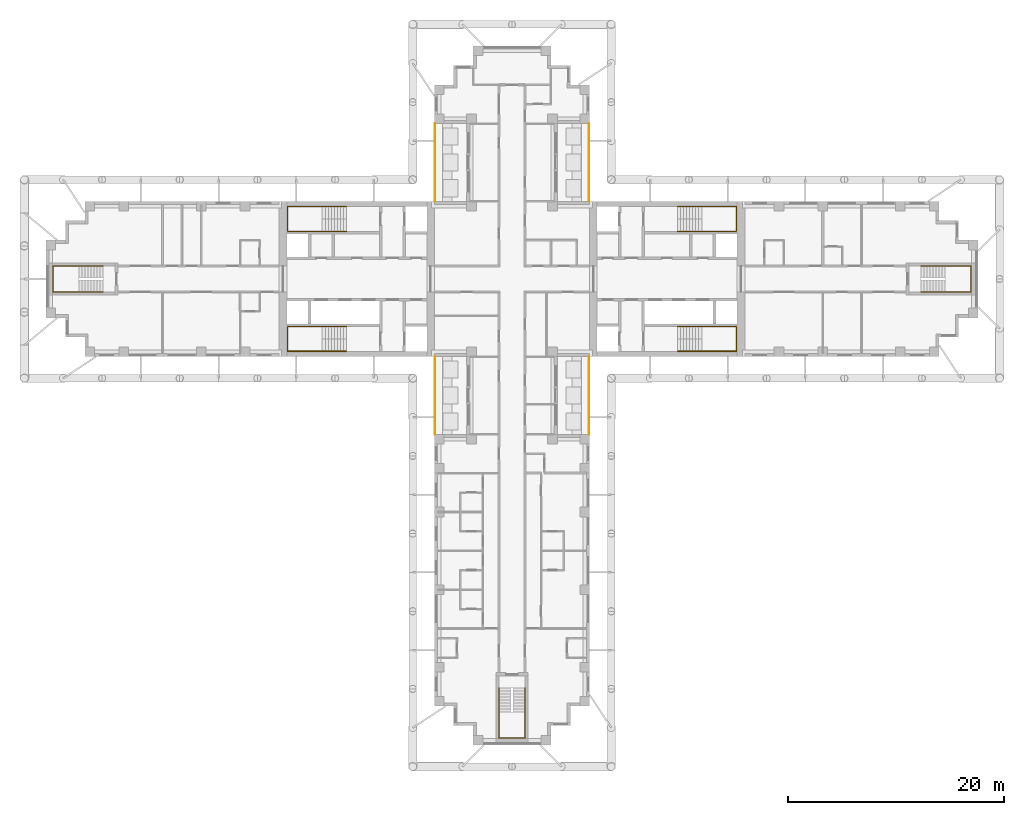
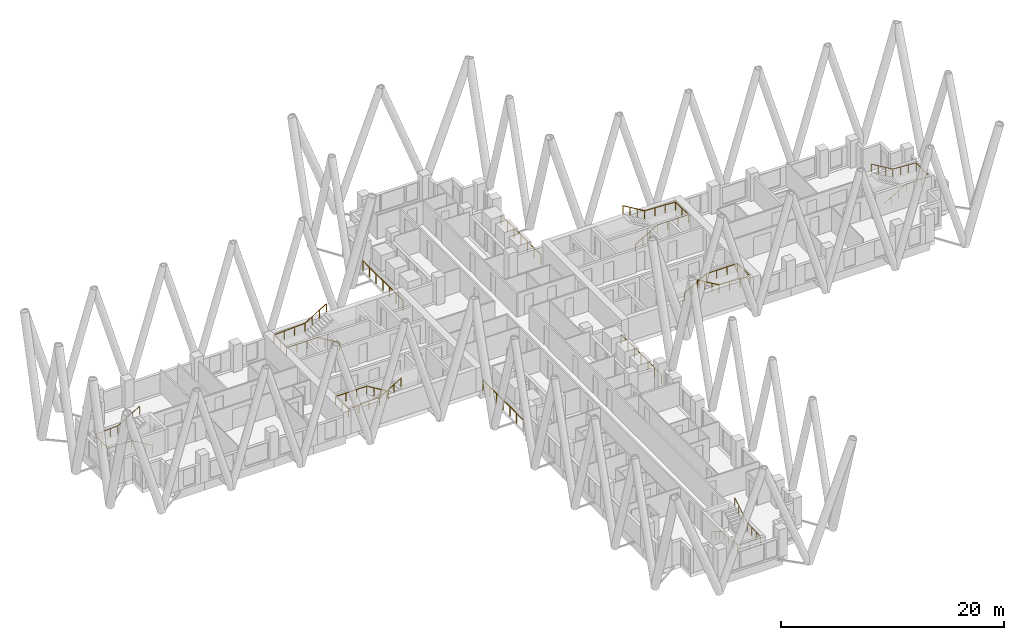
# One storey, part 13 of 14: 11 railings.
"""IFC4 building model written with IfcOpenShell, lengths in metres."""

from ifc_helpers import new_model, si_unit, direction, frame, origin, origin_2d, place, context, subcontext, project, spatial, circle, extrude, material, type_object, element, save


model = new_model("IFC4")

# Units and contexts
model_context = context("Model", 3, precision=1e-05, world=origin(), true_north=direction((0.0, 1.0)))
body_context = subcontext(model_context, "Body", "Model", "MODEL_VIEW")
ifc_project = project(units=[si_unit("LENGTHUNIT", "METRE"), si_unit("AREAUNIT", "SQUARE_METRE"), si_unit("VOLUMEUNIT", "CUBIC_METRE"), si_unit("PLANEANGLEUNIT", "RADIAN"), si_unit("MASSUNIT", "GRAM", prefix="KILO")], contexts=[model_context])

# Site, building, storey
site_placement = place(None, origin())
site = spatial("IfcSite", under=ifc_project, at=site_placement, CompositionType="ELEMENT")
building_placement = place(site_placement, origin())
building = spatial("IfcBuilding", under=site, at=building_placement, Name="Fustian Cross Tower", CompositionType="ELEMENT")
storey_placement = place(building_placement, frame((0.0, 0.0, 90.89990234375)))
storey = spatial("IfcBuildingStorey", under=building, at=storey_placement, Name="L28", CompositionType="ELEMENT", Elevation=90.89990234375)

# Railings
ifc_material_1 = material(Name="Stainless steel and glass", Category="steel")
railing_type_1 = type_object("IfcRailingType", Name="GR1 BALCONY GUARD 1100", PredefinedType="GUARDRAIL", material=ifc_material_1)
for number, where, name in (
    (1, (7.14990234375, 7.199951171875, 0.0), "Balcony guard"),
    (2, (-7.14990234375, 7.199951171875, 0.0), "Balcony guard"),
    (3, (7.14990234375, -14.39990234375, 0.0), "Balcony guard"),
    (4, (-7.14990234375, -14.39990234375, 0.0), "Balcony guard"),
):
    element("IfcRailing", number, at=place(storey_placement, frame(where)), inside=storey, type_object=railing_type_1, Name=name, PredefinedType="GUARDRAIL", context=body_context, shape_type="SweptSolid", body=[
        extrude(circle(Radius=0.02392578125, at=origin_2d()), frame((0.0, 0.0, 1.076171875), z_axis=(0.0, 1.0, 0.0), x_axis=(-1.0, 0.0, 0.0)), (0.0, 0.0, 1.0), 7.199951171875),
        extrude(circle(Radius=0.02099609375, at=origin_2d()), origin(), (0.0, 0.0, 1.0), 1.052001953125),
        extrude(circle(Radius=0.02099609375, at=origin_2d()), frame((0.0, 1.199951171875, 0.0)), (0.0, 0.0, 1.0), 1.052001953125),
        extrude(circle(Radius=0.02099609375, at=origin_2d()), frame((0.0, 2.39990234375, 0.0)), (0.0, 0.0, 1.0), 1.052001953125),
        extrude(circle(Radius=0.02099609375, at=origin_2d()), frame((0.0, 3.60009765625, 0.0)), (0.0, 0.0, 1.0), 1.052001953125),
        extrude(circle(Radius=0.02099609375, at=origin_2d()), frame((0.0, 4.800048828125, 0.0)), (0.0, 0.0, 1.0), 1.052001953125),
        extrude(circle(Radius=0.02099609375, at=origin_2d()), frame((0.0, 6.0, 0.0)), (0.0, 0.0, 1.0), 1.052001953125),
        extrude(circle(Radius=0.02099609375, at=origin_2d()), frame((0.0, 7.199951171875, 0.0)), (0.0, 0.0, 1.0), 1.052001953125),
    ])
ifc_material_2 = material(Name="Stainless steel", Category="steel")
railing_type_2 = type_object("IfcRailingType", Name="STAIR HANDRAIL", PredefinedType="HANDRAIL", material=ifc_material_2)
railing_1_placement = place(storey_placement, frame((15.35009765625, 4.39990234375, 0.166748046875)))
element("IfcRailing", 5, at=railing_1_placement, inside=storey, type_object=railing_type_2, Name="Stair ST1 handrail 1", PredefinedType="HANDRAIL", context=body_context, shape_type="SweptSolid", body=[
    extrude(circle(Radius=0.02490234375, at=origin_2d()), frame((0.0, 0.0, 0.875), z_axis=(0.859305625298, 0.0, 0.511462454469), x_axis=(0.0, 1.0, 0.0)), (0.0, 0.0, 1.0), 2.606689453125),
    extrude(circle(Radius=0.02490234375, at=origin_2d()), frame((2.239990234375, 0.0, 2.2080078125), z_axis=(1.0, 0.0, 0.0), x_axis=(0.0, 1.0, 0.0)), (0.0, 0.0, 1.0), 3.219970703125),
    extrude(circle(Radius=0.02490234375, at=origin_2d()), frame((5.4599609375, 0.0, 2.2080078125), z_axis=(0.0, 1.0, 0.0), x_axis=(-1.0, 0.0, 0.0)), (0.0, 0.0, 1.0), 2.300048828125),
    extrude(circle(Radius=0.02490234375, at=origin_2d()), frame((5.4599609375, 2.300048828125, 2.2080078125), z_axis=(-0.998661817807, 0.0, 0.051716280352), x_axis=(0.0, -1.0, 0.0)), (0.0, 0.0, 1.0), 3.224365234375),
    extrude(circle(Radius=0.02490234375, at=origin_2d()), frame((2.239990234375, 2.300048828125, 2.375), z_axis=(-0.859305625298, 0.0, 0.511462454469), x_axis=(0.0, -1.0, 0.0)), (0.0, 0.0, 1.0), 2.606689453125),
    extrude(circle(Radius=0.02001953125, at=origin_2d()), origin(), (0.0, 0.0, 1.0), 0.849853515625),
    extrude(circle(Radius=0.02001953125, at=origin_2d()), frame((0.74658203125, 0.0, 0.4443359375)), (0.0, 0.0, 1.0), 0.849853515625),
    extrude(circle(Radius=0.02001953125, at=origin_2d()), frame((1.493408203125, 0.0, 0.888916015625)), (0.0, 0.0, 1.0), 0.849853515625),
    extrude(circle(Radius=0.02001953125, at=origin_2d()), frame((2.239990234375, 0.0, 1.333251953125)), (0.0, 0.0, 1.0), 0.849853515625),
    extrude(circle(Radius=0.02001953125, at=origin_2d()), frame((3.313232421875, 0.0, 1.333251953125)), (0.0, 0.0, 1.0), 0.849853515625),
    extrude(circle(Radius=0.02001953125, at=origin_2d()), frame((4.38671875, 0.0, 1.333251953125)), (0.0, 0.0, 1.0), 0.849853515625),
    extrude(circle(Radius=0.02001953125, at=origin_2d()), frame((5.4599609375, 0.0, 1.333251953125)), (0.0, 0.0, 1.0), 0.849853515625),
    extrude(circle(Radius=0.02001953125, at=origin_2d()), frame((5.4599609375, 1.14990234375, 1.333251953125)), (0.0, 0.0, 1.0), 0.849853515625),
    extrude(circle(Radius=0.02001953125, at=origin_2d()), frame((5.4599609375, 2.300048828125, 1.333251953125)), (0.0, 0.0, 1.0), 0.849853515625),
    extrude(circle(Radius=0.02001953125, at=origin_2d()), frame((4.38671875, 2.300048828125, 1.388916015625)), (0.0, 0.0, 1.0), 0.849853515625),
    extrude(circle(Radius=0.02001953125, at=origin_2d()), frame((3.313232421875, 2.300048828125, 1.4443359375)), (0.0, 0.0, 1.0), 0.849853515625),
    extrude(circle(Radius=0.02001953125, at=origin_2d()), frame((2.239990234375, 2.300048828125, 1.5)), (0.0, 0.0, 1.0), 0.849853515625),
    extrude(circle(Radius=0.02001953125, at=origin_2d()), frame((1.493408203125, 2.300048828125, 1.9443359375)), (0.0, 0.0, 1.0), 0.849853515625),
    extrude(circle(Radius=0.02001953125, at=origin_2d()), frame((0.74658203125, 2.300048828125, 2.388916015625)), (0.0, 0.0, 1.0), 0.849853515625),
    extrude(circle(Radius=0.02001953125, at=origin_2d()), frame((0.0, 2.300048828125, 2.833251953125)), (0.0, 0.0, 1.0), 0.849853515625),
])
railing_2_placement = place(storey_placement, frame((15.35009765625, -4.39990234375, 0.166748046875)))
element("IfcRailing", 6, at=railing_2_placement, inside=storey, type_object=railing_type_2, Name="Stair ST2 handrail 1", PredefinedType="HANDRAIL", context=body_context, shape_type="SweptSolid", body=[
    extrude(circle(Radius=0.02490234375, at=origin_2d()), frame((0.0, 0.0, 0.875), z_axis=(0.859305625298, 0.0, 0.511462454469), x_axis=(0.0, 1.0, 0.0)), (0.0, 0.0, 1.0), 2.606689453125),
    extrude(circle(Radius=0.02490234375, at=origin_2d()), frame((2.239990234375, 0.0, 2.2080078125), z_axis=(1.0, 0.0, 0.0), x_axis=(0.0, 1.0, 0.0)), (0.0, 0.0, 1.0), 3.219970703125),
    extrude(circle(Radius=0.02490234375, at=origin_2d()), frame((5.4599609375, 0.0, 2.2080078125), z_axis=(0.0, -1.0, 0.0), x_axis=(1.0, 0.0, 0.0)), (0.0, 0.0, 1.0), 2.300048828125),
    extrude(circle(Radius=0.02490234375, at=origin_2d()), frame((5.4599609375, -2.300048828125, 2.2080078125), z_axis=(-0.998661817807, 0.0, 0.051716280352), x_axis=(0.0, -1.0, 0.0)), (0.0, 0.0, 1.0), 3.224365234375),
    extrude(circle(Radius=0.02490234375, at=origin_2d()), frame((2.239990234375, -2.300048828125, 2.375), z_axis=(-0.859305625298, 0.0, 0.511462454469), x_axis=(0.0, -1.0, 0.0)), (0.0, 0.0, 1.0), 2.606689453125),
    extrude(circle(Radius=0.02001953125, at=origin_2d()), origin(), (0.0, 0.0, 1.0), 0.849853515625),
    extrude(circle(Radius=0.02001953125, at=origin_2d()), frame((0.74658203125, 0.0, 0.4443359375)), (0.0, 0.0, 1.0), 0.849853515625),
    extrude(circle(Radius=0.02001953125, at=origin_2d()), frame((1.493408203125, 0.0, 0.888916015625)), (0.0, 0.0, 1.0), 0.849853515625),
    extrude(circle(Radius=0.02001953125, at=origin_2d()), frame((2.239990234375, 0.0, 1.333251953125)), (0.0, 0.0, 1.0), 0.849853515625),
    extrude(circle(Radius=0.02001953125, at=origin_2d()), frame((3.313232421875, 0.0, 1.333251953125)), (0.0, 0.0, 1.0), 0.849853515625),
    extrude(circle(Radius=0.02001953125, at=origin_2d()), frame((4.38671875, 0.0, 1.333251953125)), (0.0, 0.0, 1.0), 0.849853515625),
    extrude(circle(Radius=0.02001953125, at=origin_2d()), frame((5.4599609375, 0.0, 1.333251953125)), (0.0, 0.0, 1.0), 0.849853515625),
    extrude(circle(Radius=0.02001953125, at=origin_2d()), frame((5.4599609375, -1.14990234375, 1.333251953125)), (0.0, 0.0, 1.0), 0.849853515625),
    extrude(circle(Radius=0.02001953125, at=origin_2d()), frame((5.4599609375, -2.300048828125, 1.333251953125)), (0.0, 0.0, 1.0), 0.849853515625),
    extrude(circle(Radius=0.02001953125, at=origin_2d()), frame((4.38671875, -2.300048828125, 1.388916015625)), (0.0, 0.0, 1.0), 0.849853515625),
    extrude(circle(Radius=0.02001953125, at=origin_2d()), frame((3.313232421875, -2.300048828125, 1.4443359375)), (0.0, 0.0, 1.0), 0.849853515625),
    extrude(circle(Radius=0.02001953125, at=origin_2d()), frame((2.239990234375, -2.300048828125, 1.5)), (0.0, 0.0, 1.0), 0.849853515625),
    extrude(circle(Radius=0.02001953125, at=origin_2d()), frame((1.493408203125, -2.300048828125, 1.9443359375)), (0.0, 0.0, 1.0), 0.849853515625),
    extrude(circle(Radius=0.02001953125, at=origin_2d()), frame((0.74658203125, -2.300048828125, 2.388916015625)), (0.0, 0.0, 1.0), 0.849853515625),
    extrude(circle(Radius=0.02001953125, at=origin_2d()), frame((0.0, -2.300048828125, 2.833251953125)), (0.0, 0.0, 1.0), 0.849853515625),
])
railing_3_placement = place(storey_placement, frame((-15.35009765625, 4.39990234375, 0.166748046875)))
element("IfcRailing", 7, at=railing_3_placement, inside=storey, type_object=railing_type_2, Name="Stair ST3 handrail 1", PredefinedType="HANDRAIL", context=body_context, shape_type="SweptSolid", body=[
    extrude(circle(Radius=0.02490234375, at=origin_2d()), frame((0.0, 0.0, 0.875), z_axis=(-0.859305625298, 0.0, 0.511462454469), x_axis=(0.0, -1.0, 0.0)), (0.0, 0.0, 1.0), 2.606689453125),
    extrude(circle(Radius=0.02490234375, at=origin_2d()), frame((-2.239990234375, 0.0, 2.2080078125), z_axis=(-1.0, 0.0, 0.0), x_axis=(0.0, -1.0, 0.0)), (0.0, 0.0, 1.0), 3.219970703125),
    extrude(circle(Radius=0.02490234375, at=origin_2d()), frame((-5.4599609375, 0.0, 2.2080078125), z_axis=(0.0, 1.0, 0.0), x_axis=(-1.0, 0.0, 0.0)), (0.0, 0.0, 1.0), 2.300048828125),
    extrude(circle(Radius=0.02490234375, at=origin_2d()), frame((-5.4599609375, 2.300048828125, 2.2080078125), z_axis=(0.998661817807, 0.0, 0.051716280352), x_axis=(0.0, 1.0, 0.0)), (0.0, 0.0, 1.0), 3.224365234375),
    extrude(circle(Radius=0.02490234375, at=origin_2d()), frame((-2.239990234375, 2.300048828125, 2.375), z_axis=(0.859305625298, 0.0, 0.511462454469), x_axis=(0.0, 1.0, 0.0)), (0.0, 0.0, 1.0), 2.606689453125),
    extrude(circle(Radius=0.02001953125, at=origin_2d()), origin(), (0.0, 0.0, 1.0), 0.849853515625),
    extrude(circle(Radius=0.02001953125, at=origin_2d()), frame((-0.74658203125, 0.0, 0.4443359375)), (0.0, 0.0, 1.0), 0.849853515625),
    extrude(circle(Radius=0.02001953125, at=origin_2d()), frame((-1.493408203125, 0.0, 0.888916015625)), (0.0, 0.0, 1.0), 0.849853515625),
    extrude(circle(Radius=0.02001953125, at=origin_2d()), frame((-2.239990234375, 0.0, 1.333251953125)), (0.0, 0.0, 1.0), 0.849853515625),
    extrude(circle(Radius=0.02001953125, at=origin_2d()), frame((-3.313232421875, 0.0, 1.333251953125)), (0.0, 0.0, 1.0), 0.849853515625),
    extrude(circle(Radius=0.02001953125, at=origin_2d()), frame((-4.38671875, 0.0, 1.333251953125)), (0.0, 0.0, 1.0), 0.849853515625),
    extrude(circle(Radius=0.02001953125, at=origin_2d()), frame((-5.4599609375, 0.0, 1.333251953125)), (0.0, 0.0, 1.0), 0.849853515625),
    extrude(circle(Radius=0.02001953125, at=origin_2d()), frame((-5.4599609375, 1.14990234375, 1.333251953125)), (0.0, 0.0, 1.0), 0.849853515625),
    extrude(circle(Radius=0.02001953125, at=origin_2d()), frame((-5.4599609375, 2.300048828125, 1.333251953125)), (0.0, 0.0, 1.0), 0.849853515625),
    extrude(circle(Radius=0.02001953125, at=origin_2d()), frame((-4.38671875, 2.300048828125, 1.388916015625)), (0.0, 0.0, 1.0), 0.849853515625),
    extrude(circle(Radius=0.02001953125, at=origin_2d()), frame((-3.313232421875, 2.300048828125, 1.4443359375)), (0.0, 0.0, 1.0), 0.849853515625),
    extrude(circle(Radius=0.02001953125, at=origin_2d()), frame((-2.239990234375, 2.300048828125, 1.5)), (0.0, 0.0, 1.0), 0.849853515625),
    extrude(circle(Radius=0.02001953125, at=origin_2d()), frame((-1.493408203125, 2.300048828125, 1.9443359375)), (0.0, 0.0, 1.0), 0.849853515625),
    extrude(circle(Radius=0.02001953125, at=origin_2d()), frame((-0.74658203125, 2.300048828125, 2.388916015625)), (0.0, 0.0, 1.0), 0.849853515625),
    extrude(circle(Radius=0.02001953125, at=origin_2d()), frame((0.0, 2.300048828125, 2.833251953125)), (0.0, 0.0, 1.0), 0.849853515625),
])
railing_4_placement = place(storey_placement, frame((-15.35009765625, -4.39990234375, 0.166748046875)))
element("IfcRailing", 8, at=railing_4_placement, inside=storey, type_object=railing_type_2, Name="Stair ST4 handrail 1", PredefinedType="HANDRAIL", context=body_context, shape_type="SweptSolid", body=[
    extrude(circle(Radius=0.02490234375, at=origin_2d()), frame((0.0, 0.0, 0.875), z_axis=(-0.859305625298, 0.0, 0.511462454469), x_axis=(0.0, -1.0, 0.0)), (0.0, 0.0, 1.0), 2.606689453125),
    extrude(circle(Radius=0.02490234375, at=origin_2d()), frame((-2.239990234375, 0.0, 2.2080078125), z_axis=(-1.0, 0.0, 0.0), x_axis=(0.0, -1.0, 0.0)), (0.0, 0.0, 1.0), 3.219970703125),
    extrude(circle(Radius=0.02490234375, at=origin_2d()), frame((-5.4599609375, 0.0, 2.2080078125), z_axis=(0.0, -1.0, 0.0), x_axis=(1.0, 0.0, 0.0)), (0.0, 0.0, 1.0), 2.300048828125),
    extrude(circle(Radius=0.02490234375, at=origin_2d()), frame((-5.4599609375, -2.300048828125, 2.2080078125), z_axis=(0.998661817807, 0.0, 0.051716280352), x_axis=(0.0, 1.0, 0.0)), (0.0, 0.0, 1.0), 3.224365234375),
    extrude(circle(Radius=0.02490234375, at=origin_2d()), frame((-2.239990234375, -2.300048828125, 2.375), z_axis=(0.859305625298, 0.0, 0.511462454469), x_axis=(0.0, 1.0, 0.0)), (0.0, 0.0, 1.0), 2.606689453125),
    extrude(circle(Radius=0.02001953125, at=origin_2d()), origin(), (0.0, 0.0, 1.0), 0.849853515625),
    extrude(circle(Radius=0.02001953125, at=origin_2d()), frame((-0.74658203125, 0.0, 0.4443359375)), (0.0, 0.0, 1.0), 0.849853515625),
    extrude(circle(Radius=0.02001953125, at=origin_2d()), frame((-1.493408203125, 0.0, 0.888916015625)), (0.0, 0.0, 1.0), 0.849853515625),
    extrude(circle(Radius=0.02001953125, at=origin_2d()), frame((-2.239990234375, 0.0, 1.333251953125)), (0.0, 0.0, 1.0), 0.849853515625),
    extrude(circle(Radius=0.02001953125, at=origin_2d()), frame((-3.313232421875, 0.0, 1.333251953125)), (0.0, 0.0, 1.0), 0.849853515625),
    extrude(circle(Radius=0.02001953125, at=origin_2d()), frame((-4.38671875, 0.0, 1.333251953125)), (0.0, 0.0, 1.0), 0.849853515625),
    extrude(circle(Radius=0.02001953125, at=origin_2d()), frame((-5.4599609375, 0.0, 1.333251953125)), (0.0, 0.0, 1.0), 0.849853515625),
    extrude(circle(Radius=0.02001953125, at=origin_2d()), frame((-5.4599609375, -1.14990234375, 1.333251953125)), (0.0, 0.0, 1.0), 0.849853515625),
    extrude(circle(Radius=0.02001953125, at=origin_2d()), frame((-5.4599609375, -2.300048828125, 1.333251953125)), (0.0, 0.0, 1.0), 0.849853515625),
    extrude(circle(Radius=0.02001953125, at=origin_2d()), frame((-4.38671875, -2.300048828125, 1.388916015625)), (0.0, 0.0, 1.0), 0.849853515625),
    extrude(circle(Radius=0.02001953125, at=origin_2d()), frame((-3.313232421875, -2.300048828125, 1.4443359375)), (0.0, 0.0, 1.0), 0.849853515625),
    extrude(circle(Radius=0.02001953125, at=origin_2d()), frame((-2.239990234375, -2.300048828125, 1.5)), (0.0, 0.0, 1.0), 0.849853515625),
    extrude(circle(Radius=0.02001953125, at=origin_2d()), frame((-1.493408203125, -2.300048828125, 1.9443359375)), (0.0, 0.0, 1.0), 0.849853515625),
    extrude(circle(Radius=0.02001953125, at=origin_2d()), frame((-0.74658203125, -2.300048828125, 2.388916015625)), (0.0, 0.0, 1.0), 0.849853515625),
    extrude(circle(Radius=0.02001953125, at=origin_2d()), frame((0.0, -2.300048828125, 2.833251953125)), (0.0, 0.0, 1.0), 0.849853515625),
])
railing_5_placement = place(storey_placement, frame((-1.199951171875, -37.89990234375, 0.166748046875)))
element("IfcRailing", 9, at=railing_5_placement, inside=storey, type_object=railing_type_2, Name="Stair ST6 handrail 1", PredefinedType="HANDRAIL", context=body_context, shape_type="SweptSolid", body=[
    extrude(circle(Radius=0.02490234375, at=origin_2d()), frame((0.0, 0.0, 0.875), z_axis=(0.0, -0.859305625298, 0.511462454469), x_axis=(1.0, 0.0, 0.0)), (0.0, 0.0, 1.0), 2.606689453125),
    extrude(circle(Radius=0.02490234375, at=origin_2d()), frame((0.0, -2.239990234375, 2.2080078125), z_axis=(0.0, -1.0, 0.0), x_axis=(1.0, 0.0, 0.0)), (0.0, 0.0, 1.0), 2.420166015625),
    extrude(circle(Radius=0.02490234375, at=origin_2d()), frame((0.0, -4.66015625, 2.2080078125), z_axis=(1.0, 0.0, 0.0), x_axis=(0.0, 1.0, 0.0)), (0.0, 0.0, 1.0), 2.39990234375),
    extrude(circle(Radius=0.02490234375, at=origin_2d()), frame((2.39990234375, -4.66015625, 2.2080078125), z_axis=(0.0, 0.997634852044, 0.068736467663), x_axis=(-1.0, 0.0, 0.0)), (0.0, 0.0, 1.0), 2.426025390625),
    extrude(circle(Radius=0.02490234375, at=origin_2d()), frame((2.39990234375, -2.239990234375, 2.375), z_axis=(0.0, 0.859305625298, 0.511462454469), x_axis=(-1.0, 0.0, 0.0)), (0.0, 0.0, 1.0), 2.606689453125),
    extrude(circle(Radius=0.02001953125, at=origin_2d()), origin(), (0.0, 0.0, 1.0), 0.849853515625),
    extrude(circle(Radius=0.02001953125, at=origin_2d()), frame((0.0, -0.74658203125, 0.4443359375)), (0.0, 0.0, 1.0), 0.849853515625),
    extrude(circle(Radius=0.02001953125, at=origin_2d()), frame((0.0, -1.493408203125, 0.888916015625)), (0.0, 0.0, 1.0), 0.849853515625),
    extrude(circle(Radius=0.02001953125, at=origin_2d()), frame((0.0, -2.239990234375, 1.333251953125)), (0.0, 0.0, 1.0), 0.849853515625),
    extrude(circle(Radius=0.02001953125, at=origin_2d()), frame((0.0, -3.046630859375, 1.333251953125)), (0.0, 0.0, 1.0), 0.849853515625),
    extrude(circle(Radius=0.02001953125, at=origin_2d()), frame((0.0, -3.853515625, 1.333251953125)), (0.0, 0.0, 1.0), 0.849853515625),
    extrude(circle(Radius=0.02001953125, at=origin_2d()), frame((0.0, -4.66015625, 1.333251953125)), (0.0, 0.0, 1.0), 0.849853515625),
    extrude(circle(Radius=0.02001953125, at=origin_2d()), frame((1.199951171875, -4.66015625, 1.333251953125)), (0.0, 0.0, 1.0), 0.849853515625),
    extrude(circle(Radius=0.02001953125, at=origin_2d()), frame((2.39990234375, -4.66015625, 1.333251953125)), (0.0, 0.0, 1.0), 0.849853515625),
    extrude(circle(Radius=0.02001953125, at=origin_2d()), frame((2.39990234375, -3.853515625, 1.388916015625)), (0.0, 0.0, 1.0), 0.849853515625),
    extrude(circle(Radius=0.02001953125, at=origin_2d()), frame((2.39990234375, -3.046630859375, 1.4443359375)), (0.0, 0.0, 1.0), 0.849853515625),
    extrude(circle(Radius=0.02001953125, at=origin_2d()), frame((2.39990234375, -2.239990234375, 1.5)), (0.0, 0.0, 1.0), 0.849853515625),
    extrude(circle(Radius=0.02001953125, at=origin_2d()), frame((2.39990234375, -1.493408203125, 1.9443359375)), (0.0, 0.0, 1.0), 0.849853515625),
    extrude(circle(Radius=0.02001953125, at=origin_2d()), frame((2.39990234375, -0.74658203125, 2.388916015625)), (0.0, 0.0, 1.0), 0.849853515625),
    extrude(circle(Radius=0.02001953125, at=origin_2d()), frame((2.39990234375, 0.0, 2.833251953125)), (0.0, 0.0, 1.0), 0.849853515625),
])
railing_6_placement = place(storey_placement, frame((37.89990234375, -1.199951171875, 0.166748046875)))
element("IfcRailing", 10, at=railing_6_placement, inside=storey, type_object=railing_type_2, Name="Stair ST8 handrail 1", PredefinedType="HANDRAIL", context=body_context, shape_type="SweptSolid", body=[
    extrude(circle(Radius=0.02490234375, at=origin_2d()), frame((0.0, 0.0, 0.875), z_axis=(0.859305625298, 0.0, 0.511462454469), x_axis=(0.0, 1.0, 0.0)), (0.0, 0.0, 1.0), 2.606689453125),
    extrude(circle(Radius=0.02490234375, at=origin_2d()), frame((2.239990234375, 0.0, 2.2080078125), z_axis=(1.0, 0.0, 0.0), x_axis=(0.0, 1.0, 0.0)), (0.0, 0.0, 1.0), 2.420166015625),
    extrude(circle(Radius=0.02490234375, at=origin_2d()), frame((4.66015625, 0.0, 2.2080078125), z_axis=(0.0, 1.0, 0.0), x_axis=(-1.0, 0.0, 0.0)), (0.0, 0.0, 1.0), 2.39990234375),
    extrude(circle(Radius=0.02490234375, at=origin_2d()), frame((4.66015625, 2.39990234375, 2.2080078125), z_axis=(-0.997634852044, 0.0, 0.068736467663), x_axis=(0.0, -1.0, 0.0)), (0.0, 0.0, 1.0), 2.426025390625),
    extrude(circle(Radius=0.02490234375, at=origin_2d()), frame((2.239990234375, 2.39990234375, 2.375), z_axis=(-0.859305625298, 0.0, 0.511462454469), x_axis=(0.0, -1.0, 0.0)), (0.0, 0.0, 1.0), 2.606689453125),
    extrude(circle(Radius=0.02001953125, at=origin_2d()), origin(), (0.0, 0.0, 1.0), 0.849853515625),
    extrude(circle(Radius=0.02001953125, at=origin_2d()), frame((0.74658203125, 0.0, 0.4443359375)), (0.0, 0.0, 1.0), 0.849853515625),
    extrude(circle(Radius=0.02001953125, at=origin_2d()), frame((1.493408203125, 0.0, 0.888916015625)), (0.0, 0.0, 1.0), 0.849853515625),
    extrude(circle(Radius=0.02001953125, at=origin_2d()), frame((2.239990234375, 0.0, 1.333251953125)), (0.0, 0.0, 1.0), 0.849853515625),
    extrude(circle(Radius=0.02001953125, at=origin_2d()), frame((3.046630859375, 0.0, 1.333251953125)), (0.0, 0.0, 1.0), 0.849853515625),
    extrude(circle(Radius=0.02001953125, at=origin_2d()), frame((3.853515625, 0.0, 1.333251953125)), (0.0, 0.0, 1.0), 0.849853515625),
    extrude(circle(Radius=0.02001953125, at=origin_2d()), frame((4.66015625, 0.0, 1.333251953125)), (0.0, 0.0, 1.0), 0.849853515625),
    extrude(circle(Radius=0.02001953125, at=origin_2d()), frame((4.66015625, 1.199951171875, 1.333251953125)), (0.0, 0.0, 1.0), 0.849853515625),
    extrude(circle(Radius=0.02001953125, at=origin_2d()), frame((4.66015625, 2.39990234375, 1.333251953125)), (0.0, 0.0, 1.0), 0.849853515625),
    extrude(circle(Radius=0.02001953125, at=origin_2d()), frame((3.853515625, 2.39990234375, 1.388916015625)), (0.0, 0.0, 1.0), 0.849853515625),
    extrude(circle(Radius=0.02001953125, at=origin_2d()), frame((3.046630859375, 2.39990234375, 1.4443359375)), (0.0, 0.0, 1.0), 0.849853515625),
    extrude(circle(Radius=0.02001953125, at=origin_2d()), frame((2.239990234375, 2.39990234375, 1.5)), (0.0, 0.0, 1.0), 0.849853515625),
    extrude(circle(Radius=0.02001953125, at=origin_2d()), frame((1.493408203125, 2.39990234375, 1.9443359375)), (0.0, 0.0, 1.0), 0.849853515625),
    extrude(circle(Radius=0.02001953125, at=origin_2d()), frame((0.74658203125, 2.39990234375, 2.388916015625)), (0.0, 0.0, 1.0), 0.849853515625),
    extrude(circle(Radius=0.02001953125, at=origin_2d()), frame((0.0, 2.39990234375, 2.833251953125)), (0.0, 0.0, 1.0), 0.849853515625),
])
railing_7_placement = place(storey_placement, frame((-37.89990234375, -1.199951171875, 0.166748046875)))
element("IfcRailing", 11, at=railing_7_placement, inside=storey, type_object=railing_type_2, Name="Stair ST9 handrail 1", PredefinedType="HANDRAIL", context=body_context, shape_type="SweptSolid", body=[
    extrude(circle(Radius=0.02490234375, at=origin_2d()), frame((0.0, 0.0, 0.875), z_axis=(-0.859305625298, 0.0, 0.511462454469), x_axis=(0.0, -1.0, 0.0)), (0.0, 0.0, 1.0), 2.606689453125),
    extrude(circle(Radius=0.02490234375, at=origin_2d()), frame((-2.239990234375, 0.0, 2.2080078125), z_axis=(-1.0, 0.0, 0.0), x_axis=(0.0, -1.0, 0.0)), (0.0, 0.0, 1.0), 2.420166015625),
    extrude(circle(Radius=0.02490234375, at=origin_2d()), frame((-4.66015625, 0.0, 2.2080078125), z_axis=(0.0, 1.0, 0.0), x_axis=(-1.0, 0.0, 0.0)), (0.0, 0.0, 1.0), 2.39990234375),
    extrude(circle(Radius=0.02490234375, at=origin_2d()), frame((-4.66015625, 2.39990234375, 2.2080078125), z_axis=(0.997634852044, 0.0, 0.068736467663), x_axis=(0.0, 1.0, 0.0)), (0.0, 0.0, 1.0), 2.426025390625),
    extrude(circle(Radius=0.02490234375, at=origin_2d()), frame((-2.239990234375, 2.39990234375, 2.375), z_axis=(0.859305625298, 0.0, 0.511462454469), x_axis=(0.0, 1.0, 0.0)), (0.0, 0.0, 1.0), 2.606689453125),
    extrude(circle(Radius=0.02001953125, at=origin_2d()), origin(), (0.0, 0.0, 1.0), 0.849853515625),
    extrude(circle(Radius=0.02001953125, at=origin_2d()), frame((-0.74658203125, 0.0, 0.4443359375)), (0.0, 0.0, 1.0), 0.849853515625),
    extrude(circle(Radius=0.02001953125, at=origin_2d()), frame((-1.493408203125, 0.0, 0.888916015625)), (0.0, 0.0, 1.0), 0.849853515625),
    extrude(circle(Radius=0.02001953125, at=origin_2d()), frame((-2.239990234375, 0.0, 1.333251953125)), (0.0, 0.0, 1.0), 0.849853515625),
    extrude(circle(Radius=0.02001953125, at=origin_2d()), frame((-3.046630859375, 0.0, 1.333251953125)), (0.0, 0.0, 1.0), 0.849853515625),
    extrude(circle(Radius=0.02001953125, at=origin_2d()), frame((-3.853515625, 0.0, 1.333251953125)), (0.0, 0.0, 1.0), 0.849853515625),
    extrude(circle(Radius=0.02001953125, at=origin_2d()), frame((-4.66015625, 0.0, 1.333251953125)), (0.0, 0.0, 1.0), 0.849853515625),
    extrude(circle(Radius=0.02001953125, at=origin_2d()), frame((-4.66015625, 1.199951171875, 1.333251953125)), (0.0, 0.0, 1.0), 0.849853515625),
    extrude(circle(Radius=0.02001953125, at=origin_2d()), frame((-4.66015625, 2.39990234375, 1.333251953125)), (0.0, 0.0, 1.0), 0.849853515625),
    extrude(circle(Radius=0.02001953125, at=origin_2d()), frame((-3.853515625, 2.39990234375, 1.388916015625)), (0.0, 0.0, 1.0), 0.849853515625),
    extrude(circle(Radius=0.02001953125, at=origin_2d()), frame((-3.046630859375, 2.39990234375, 1.4443359375)), (0.0, 0.0, 1.0), 0.849853515625),
    extrude(circle(Radius=0.02001953125, at=origin_2d()), frame((-2.239990234375, 2.39990234375, 1.5)), (0.0, 0.0, 1.0), 0.849853515625),
    extrude(circle(Radius=0.02001953125, at=origin_2d()), frame((-1.493408203125, 2.39990234375, 1.9443359375)), (0.0, 0.0, 1.0), 0.849853515625),
    extrude(circle(Radius=0.02001953125, at=origin_2d()), frame((-0.74658203125, 2.39990234375, 2.388916015625)), (0.0, 0.0, 1.0), 0.849853515625),
    extrude(circle(Radius=0.02001953125, at=origin_2d()), frame((0.0, 2.39990234375, 2.833251953125)), (0.0, 0.0, 1.0), 0.849853515625),
])

save(model, "model.ifc")
